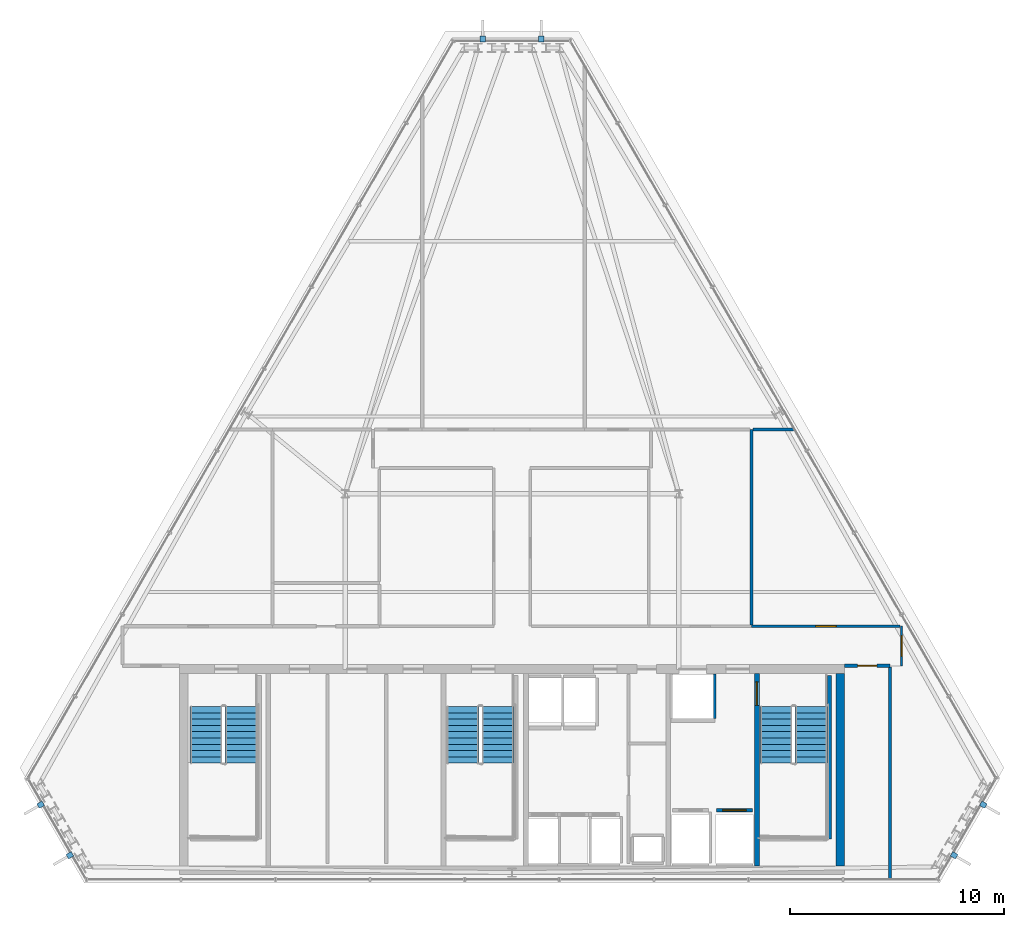
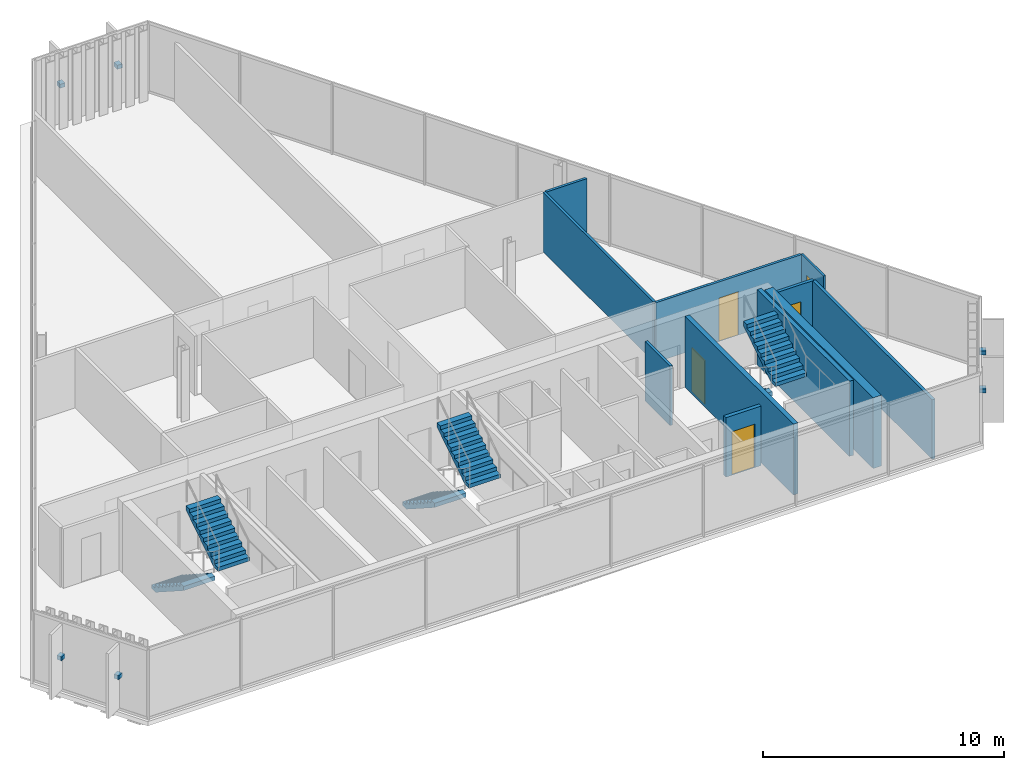
# One storey, part 31 of 34: 11 walls, 6 discrete accessories, 6 stair flights, 5 doors, 5 openings, 3 elements without a shape of their own.
"""IFC4 building model written with IfcOpenShell, lengths in metres."""

from ifc_helpers import new_model, si_unit, direction, frame, frame_2d, origin, origin_2d, place, context, subcontext, project, spatial, polyline, rectangle, outline, extrude, material, layer, layer_set, type_object, element, fill, aggregate, save


model = new_model("IFC4")

# Units and contexts
model_context = context("Model", 3, precision=1e-05, world=origin(), true_north=direction((0.0, 1.0)))
body_context = subcontext(model_context, "Body", "Model", "MODEL_VIEW")
ifc_project = project(units=[si_unit("LENGTHUNIT", "METRE"), si_unit("AREAUNIT", "SQUARE_METRE"), si_unit("VOLUMEUNIT", "CUBIC_METRE"), si_unit("PLANEANGLEUNIT", "RADIAN"), si_unit("MASSUNIT", "GRAM", prefix="KILO")], contexts=[model_context])

# Site, building, storey
site_placement = place(None, origin())
site = spatial("IfcSite", under=ifc_project, at=site_placement, CompositionType="ELEMENT")
building_placement = place(site_placement, origin())
building = spatial("IfcBuilding", under=site, at=building_placement, Name="Ndaravel Arena Tower", CompositionType="ELEMENT")
storey_placement = place(building_placement, frame((0.0, 0.0, 263.60009765625)))
storey = spatial("IfcBuildingStorey", under=building, at=storey_placement, Name="L64", CompositionType="ELEMENT", Elevation=263.60009765625)

# Wall, opening, door
ifc_material_1 = material(Name="Concrete C50/60", Category="concrete")
ifc_layer_1 = layer(ifc_material_1, 0.219970703125)
ifc_layer_set_1 = layer_set([ifc_layer_1], Name="Concrete C50/60")
wall_type_1 = type_object("IfcWallType", Name="WALL-CORE-220", PredefinedType="SOLIDWALL", material=ifc_layer_set_1)
wall_1_placement = place(storey_placement, frame((53.449951171875, 5.800048828125, 0.0), z_axis=(0.0, 0.0, 1.0), x_axis=(0.0, 1.0, 0.0)))
wall_1 = element("IfcWall", 1, at=wall_1_placement, inside=storey, type_object=wall_type_1, Name="L64 Core Web Shear Wall 5", PredefinedType="SOLIDWALL", context=body_context, shape_type="SweptSolid", body=[
    extrude(rectangle(XDim=9.0, YDim=0.219970703125, at=frame_2d((4.5, 0.0))), origin(), (0.0, 0.0, 1.0), 3.579833984375),
])
opening_1_placement = place(wall_1_placement, frame((7.5, 0.0, 0.0)))
opening_1 = element("IfcOpeningElement", 2, at=opening_1_placement, cuts=wall_1, Name="Opening FD-01", PredefinedType="OPENING", context=body_context, shape_type="SweptSolid", body=[
    extrude(rectangle(XDim=1.10009765625, YDim=2.199951171875, at=frame_2d((0.550048828125, 1.10009765625))), frame((0.0, 0.10986328125, 0.0), z_axis=(0.0, -1.0, 0.0), x_axis=(1.0, 0.0, 0.0)), (0.0, 0.0, 1.0), 0.219970703125),
])
ifc_material_2 = material(Name="Steel S355", Category="steel")
door_type_1 = type_object("IfcDoorType", Name="DT-01-STAIR-1100", OperationType="SINGLE_SWING_LEFT", PredefinedType="DOOR", material=ifc_material_2)
door_1_placement = place(opening_1_placement, origin())
door_1 = element("IfcDoor", 3, at=door_1_placement, inside=storey, type_object=door_type_1, Name="L64 Firefighting Lobby to ST-3 Door", OperationType="SINGLE_SWING_LEFT", OverallHeight=2.199951171875, OverallWidth=1.10009765625, PredefinedType="DOOR", context=body_context, shape_type="SweptSolid", body=[
    extrude(rectangle(XDim=1.10009765625, YDim=2.199951171875, at=frame_2d((0.550048828125, 1.10009765625))), frame((0.0, 0.02490234375, 0.0), z_axis=(0.0, -1.0, 0.0), x_axis=(1.0, 0.0, 0.0)), (0.0, 0.0, 1.0), 0.050048828125),
])
fill(opening_1, door_1)

# Wall
ifc_material_3 = material(Name="Concrete C50/60", Category="concrete")
ifc_layer_2 = layer(ifc_material_3, 0.39990234375)
ifc_layer_set_2 = layer_set([ifc_layer_2], Name="Concrete C50/60")
wall_type_2 = type_object("IfcWallType", Name="WALL-CORE-400", PredefinedType="SOLIDWALL", material=ifc_layer_set_2)
wall_2_placement = place(storey_placement, frame((57.35009765625, 5.800048828125, 0.0), z_axis=(0.0, 0.0, 1.0), x_axis=(0.0, 1.0, 0.0)))
element("IfcWall", 4, at=wall_2_placement, inside=storey, type_object=wall_type_2, Name="L64 Core East Shear Wall", PredefinedType="SOLIDWALL", context=body_context, shape_type="SweptSolid", body=[
    extrude(rectangle(XDim=9.0, YDim=0.39990234375, at=frame_2d((4.5, 0.0))), origin(), (0.0, 0.0, 1.0), 3.579833984375),
])

# Wall, opening, door
ifc_material_4 = material(Name="Timber", Category="wood")
ifc_layer_3 = layer(ifc_material_4, 0.10009765625)
ifc_layer_set_3 = layer_set([ifc_layer_3], Name="Timber")
wall_type_3 = type_object("IfcWallType", Name="WALL-MOVABLE-100", PredefinedType="MOVABLE", material=ifc_layer_set_3)
wall_3_placement = place(storey_placement, frame((60.216064453125, 17.0, 0.0), z_axis=(0.0, 0.0, 1.0), x_axis=(0.0, -1.0, 0.0)))
wall_3 = element("IfcWall", 5, at=wall_3_placement, inside=storey, type_object=wall_type_3, Name="L64 Interior Partition 001", PredefinedType="MOVABLE", context=body_context, shape_type="SweptSolid", body=[
    extrude(rectangle(XDim=1.85009765625, YDim=0.10009765625, at=frame_2d((0.925048828125, 0.0))), origin(), (0.0, 0.0, 1.0), 3.010498046875),
])
opening_2_placement = place(wall_3_placement, frame((0.449951171875, 0.0, 0.0)))
opening_2 = element("IfcOpeningElement", 6, at=opening_2_placement, cuts=wall_3, Name="Opening ID-01", PredefinedType="OPENING", context=body_context, shape_type="SweptSolid", body=[
    extrude(rectangle(XDim=0.949951171875, YDim=2.199951171875, at=frame_2d((0.47509765625, 1.10009765625))), frame((0.0, 0.050048828125, 0.0), z_axis=(0.0, -1.0, 0.0), x_axis=(1.0, 0.0, 0.0)), (0.0, 0.0, 1.0), 0.10009765625),
])
ifc_material_5 = material(Name="Timber", Category="wood")
door_type_2 = type_object("IfcDoorType", Name="DT-03-OFFICE-950", OperationType="SINGLE_SWING_LEFT", PredefinedType="DOOR", material=ifc_material_5)
door_2_placement = place(opening_2_placement, origin())
door_2 = element("IfcDoor", 7, at=door_2_placement, inside=storey, type_object=door_type_2, Name="L64 Staff Wellness Clinic Door", OperationType="SINGLE_SWING_LEFT", OverallHeight=2.199951171875, OverallWidth=0.949951171875, PredefinedType="DOOR", context=body_context, shape_type="SweptSolid", body=[
    extrude(rectangle(XDim=0.949951171875, YDim=2.199951171875, at=frame_2d((0.47509765625, 1.10009765625))), frame((0.0, 0.02490234375, 0.0), z_axis=(0.0, -1.0, 0.0), x_axis=(1.0, 0.0, 0.0)), (0.0, 0.0, 1.0), 0.050048828125),
])
fill(opening_2, door_2)

ifc_material_6 = material(Name="Gypsum", Category="gypsum")
ifc_layer_4 = layer(ifc_material_6, 0.125)
ifc_layer_set_4 = layer_set([ifc_layer_4], Name="Gypsum")
wall_type_4 = type_object("IfcWallType", Name="WALL-PART-125", PredefinedType="PARTITIONING", material=ifc_layer_set_4)
wall_4_placement = place(storey_placement, frame((53.199951171875, 17.0, 0.0), z_axis=(0.0, 0.0, 1.0), x_axis=(1.0, 0.0, 0.0)))
wall_4 = element("IfcWall", 8, at=wall_4_placement, inside=storey, type_object=wall_type_4, Name="L64 Interior Partition 021", PredefinedType="PARTITIONING", context=body_context, shape_type="SweptSolid", body=[
    extrude(rectangle(XDim=6.950927734375, YDim=0.125, at=frame_2d((3.4755859375, 0.0))), origin(), (0.0, 0.0, 1.0), 3.010498046875),
])
opening_3_placement = place(wall_4_placement, frame((3.00048828125, 0.0, 0.0)))
opening_3 = element("IfcOpeningElement", 9, at=opening_3_placement, cuts=wall_4, Name="Opening ID-01", PredefinedType="OPENING", context=body_context, shape_type="SweptSolid", body=[
    extrude(rectangle(XDim=0.949951171875, YDim=2.199951171875, at=frame_2d((0.47509765625, 1.10009765625))), frame((0.0, 0.0625, 0.0), z_axis=(0.0, -1.0, 0.0), x_axis=(1.0, 0.0, 0.0)), (0.0, 0.0, 1.0), 0.125),
])
door_3_placement = place(opening_3_placement, origin())
door_3 = element("IfcDoor", 10, at=door_3_placement, inside=storey, type_object=door_type_2, Name="L64 Barista Galley 3 Door", OperationType="SINGLE_SWING_RIGHT", OverallHeight=2.199951171875, OverallWidth=0.949951171875, PredefinedType="DOOR", context=body_context, shape_type="SweptSolid", body=[
    extrude(rectangle(XDim=0.949951171875, YDim=2.199951171875, at=frame_2d((0.47509765625, 1.10009765625))), frame((0.0, 0.02490234375, 0.0), z_axis=(0.0, -1.0, 0.0), x_axis=(1.0, 0.0, 0.0)), (0.0, 0.0, 1.0), 0.050048828125),
])
fill(opening_3, door_3)

# Walls
wall_5_placement = place(storey_placement, frame((53.199951171875, 17.06494140625, 0.0), z_axis=(0.0, 0.0, 1.0), x_axis=(0.0, 1.0, 0.0)))
element("IfcWall", 11, at=wall_5_placement, inside=storey, type_object=wall_type_4, Name="L64 Interior Partition 030", PredefinedType="PARTITIONING", context=body_context, shape_type="SweptSolid", body=[
    extrude(rectangle(XDim=9.135009765625, YDim=0.125, at=frame_2d((4.5673828125, 0.0))), origin(), (0.0, 0.0, 1.0), 3.010498046875),
])
wall_6_placement = place(storey_placement, frame((53.264892578125, 26.199951171875, 0.0), z_axis=(0.0, 0.0, 1.0), x_axis=(1.0, 0.0, 0.0)))
element("IfcWall", 12, at=wall_6_placement, inside=storey, type_object=wall_type_4, Name="L64 Interior Partition 031", PredefinedType="PARTITIONING", context=body_context, shape_type="SweptSolid", body=[
    extrude(rectangle(XDim=1.94921875, YDim=0.125, at=frame_2d((0.974609375, 0.0))), origin(), (0.0, 0.0, 1.0), 3.010498046875),
])
ifc_material_7 = material(Name="Concrete C40/50", Category="concrete")
ifc_layer_5 = layer(ifc_material_7, 0.1201171875)
ifc_layer_set_5 = layer_set([ifc_layer_5], Name="Concrete C40/50")
wall_type_5 = type_object("IfcWallType", Name="WALL-SHAFT-120", PredefinedType="SOLIDWALL", material=ifc_layer_set_5)
wall_7_placement = place(storey_placement, frame((51.47998046875, 12.68994140625, 0.0), z_axis=(0.0, 0.0, 1.0), x_axis=(0.0, 1.0, 0.0)))
element("IfcWall", 13, at=wall_7_placement, inside=storey, type_object=wall_type_5, Name="L64 SVL-1 Shaft E Wall", PredefinedType="SOLIDWALL", context=body_context, shape_type="SweptSolid", body=[
    extrude(rectangle(XDim=2.070068359375, YDim=0.1201171875, at=frame_2d((1.03515625, 0.0))), origin(), (0.0, 0.0, 1.0), 3.010498046875),
])
ifc_material_8 = material(Name="Concrete C40/50", Category="concrete")
ifc_layer_6 = layer(ifc_material_8, 0.199951171875)
ifc_layer_set_6 = layer_set([ifc_layer_6], Name="Concrete C40/50")
wall_type_6 = type_object("IfcWallType", Name="WALL-SHAFT-200", PredefinedType="SOLIDWALL", material=ifc_layer_set_6)
wall_8_placement = place(storey_placement, frame((56.840087890625, 14.699951171875, 0.0), z_axis=(0.0, 0.0, 1.0), x_axis=(0.0, -1.0, 0.0)))
element("IfcWall", 14, at=wall_8_placement, inside=storey, type_object=wall_type_6, Name="L64 ST-3 Structural Shaft Wall Right", PredefinedType="SOLIDWALL", context=body_context, shape_type="SweptSolid", body=[
    extrude(rectangle(XDim=7.64990234375, YDim=0.199951171875, at=frame_2d((3.824951171875, 0.0))), origin(), (0.0, 0.0, 1.0), 3.7998046875),
])

# Wall, opening, door
wall_9_placement = place(storey_placement, frame((51.554931640625, 8.39990234375, 0.0), z_axis=(0.0, 0.0, 1.0), x_axis=(1.0, 0.0, 0.0)))
wall_9 = element("IfcWall", 15, at=wall_9_placement, inside=storey, type_object=wall_type_6, Name="L64 FFL-2 Shaft Landing Wall", PredefinedType="SOLIDWALL", context=body_context, shape_type="SweptSolid", body=[
    extrude(rectangle(XDim=1.690185546875, YDim=0.179931640625, at=frame_2d((0.84521484375, 0.0))), origin(), (0.0, 0.0, 1.0), 3.010498046875),
])
opening_4_placement = place(wall_9_placement, frame((0.294921875, 0.0, 0.0)))
opening_4 = element("IfcOpeningElement", 16, at=opening_4_placement, cuts=wall_9, Name="Opening LD-01", PredefinedType="OPENING", context=body_context, shape_type="SweptSolid", body=[
    extrude(rectangle(XDim=1.10009765625, YDim=2.199951171875, at=frame_2d((0.550048828125, 1.10009765625))), frame((0.0, 0.08984375, 0.0), z_axis=(0.0, -1.0, 0.0), x_axis=(1.0, 0.0, 0.0)), (0.0, 0.0, 1.0), 0.179931640625),
])
ifc_material_9 = material(Name="Steel S355", Category="steel")
door_type_3 = type_object("IfcDoorType", Name="DT-06-LIFT-1100", OperationType="SLIDING_TO_LEFT", PredefinedType="DOOR", material=ifc_material_9)
door_4_placement = place(opening_4_placement, origin())
door_4 = element("IfcDoor", 17, at=door_4_placement, inside=storey, type_object=door_type_3, Name="L64 Lift FFL-2 Sliding Landing Door", OperationType="SLIDING_TO_LEFT", OverallHeight=2.199951171875, OverallWidth=1.10009765625, PredefinedType="DOOR", context=body_context, shape_type="SweptSolid", body=[
    extrude(rectangle(XDim=1.10009765625, YDim=2.199951171875, at=frame_2d((0.550048828125, 1.10009765625))), frame((0.0, 0.02490234375, 0.0), z_axis=(0.0, -1.0, 0.0), x_axis=(1.0, 0.0, 0.0)), (0.0, 0.0, 1.0), 0.050048828125),
])
fill(opening_4, door_4)

ifc_material_10 = material(Name="Masonry", Category="masonry")
ifc_layer_7 = layer(ifc_material_10, 0.14990234375)
ifc_layer_set_7 = layer_set([ifc_layer_7], Name="Masonry")
wall_type_7 = type_object("IfcWallType", Name="WALL-WET-150", PredefinedType="PARTITIONING", material=ifc_layer_set_7)
wall_10_placement = place(storey_placement, frame((59.67431640625, 15.14990234375, 0.0), z_axis=(0.0, 0.0, 1.0), x_axis=(-1.0, 0.0, 0.0)))
wall_10 = element("IfcWall", 18, at=wall_10_placement, inside=storey, type_object=wall_type_7, Name="L64 Interior Partition 002", PredefinedType="PARTITIONING", context=body_context, shape_type="SweptSolid", body=[
    extrude(rectangle(XDim=2.124267578125, YDim=0.14990234375, at=frame_2d((1.06201171875, 0.0))), origin(), (0.0, 0.0, 1.0), 3.010498046875),
])
opening_5_placement = place(wall_10_placement, frame((0.6123046875, 0.0, 0.0)))
opening_5 = element("IfcOpeningElement", 19, at=opening_5_placement, cuts=wall_10, Name="Opening WD-01", PredefinedType="OPENING", context=body_context, shape_type="SweptSolid", body=[
    extrude(rectangle(XDim=0.89990234375, YDim=2.14990234375, at=frame_2d((0.449951171875, 1.074951171875))), frame((0.0, 0.074951171875, 0.0), z_axis=(0.0, -1.0, 0.0), x_axis=(1.0, 0.0, 0.0)), (0.0, 0.0, 1.0), 0.14990234375),
])
ifc_material_11 = material(Name="Timber", Category="wood")
door_type_4 = type_object("IfcDoorType", Name="DT-05-WC-900", OperationType="SINGLE_SWING_LEFT", PredefinedType="DOOR", material=ifc_material_11)
door_5_placement = place(opening_5_placement, origin())
door_5 = element("IfcDoor", 20, at=door_5_placement, inside=storey, type_object=door_type_4, Name="L64 Male Staff & Visitor Restroom Door", OperationType="SINGLE_SWING_LEFT", OverallHeight=2.14990234375, OverallWidth=0.89990234375, PredefinedType="DOOR", context=body_context, shape_type="SweptSolid", body=[
    extrude(rectangle(XDim=0.89990234375, YDim=2.14990234375, at=frame_2d((0.449951171875, 1.074951171875))), frame((0.0, 0.02490234375, 0.0), z_axis=(0.0, -1.0, 0.0), x_axis=(1.0, 0.0, 0.0)), (0.0, 0.0, 1.0), 0.050048828125),
])
fill(opening_5, door_5)

# Wall
wall_11_placement = place(storey_placement, frame((59.67431640625, 15.0849609375, 0.0), z_axis=(0.0, 0.0, 1.0), x_axis=(0.0, -1.0, 0.0)))
element("IfcWall", 21, at=wall_11_placement, inside=storey, type_object=wall_type_7, Name="L64 Interior Partition 022", PredefinedType="PARTITIONING", context=body_context, shape_type="SweptSolid", body=[
    extrude(rectangle(XDim=9.925048828125, YDim=0.14990234375, at=frame_2d((4.96240234375, 0.0))), origin(), (0.0, 0.0, 1.0), 3.010498046875),
])

# Stair, stair flights
ifc_material_12 = material(Name="Concrete C40/50", Category="concrete")
stair_type = type_object("IfcStairType", Name="STAIR-CORE-HT", PredefinedType="HALF_TURN_STAIR", material=ifc_material_12)
stair_1_placement = place(storey_placement, origin())
stair_1 = element("IfcStair", 22, at=stair_1_placement, inside=storey, type_object=stair_type, Name="L64 ST-1", PredefinedType="HALF_TURN_STAIR")
ifc_material_13 = material(Name="Concrete C40/50", Category="concrete")
stair_flight_type = type_object("IfcStairFlightType", Name="SFLIGHT-CORE-1680", PredefinedType="STRAIGHT", material=ifc_material_13)
stair_flight_1_placement = place(storey_placement, frame((27.699951171875, 13.25, 0.0), z_axis=(0.0, 0.0, 1.0), x_axis=(0.0, -1.0, 0.0)))
stair_flight_1 = element("IfcStairFlight", 23, at=stair_flight_1_placement, type_object=stair_flight_type, Name="ST-1 flight 1", NumberOfRisers=10, NumberOfTreads=9, PredefinedType="STRAIGHT", RiserHeight=0.19, TreadLength=0.295, context=body_context, shape_type="SweptSolid", body=[
    extrude(outline(polyline([(0.0, 0.0), (0.0, 0.18994140625), (0.294921875, 0.18994140625), (0.294921875, 0.3798828125), (0.590087890625, 0.3798828125), (0.590087890625, 0.570068359375), (0.885009765625, 0.570068359375), (0.885009765625, 0.760009765625), (1.179931640625, 0.760009765625), (1.179931640625, 0.949951171875), (1.47509765625, 0.949951171875), (1.47509765625, 1.139892578125), (1.77001953125, 1.139892578125), (1.77001953125, 1.330078125), (2.06494140625, 1.330078125), (2.06494140625, 1.52001953125), (2.360107421875, 1.52001953125), (2.360107421875, 1.7099609375), (2.655029296875, 1.7099609375), (2.655029296875, 1.89990234375), (2.655029296875, 1.49609375), (0.332275390625, 0.0), (0.0, 0.0)])), frame((0.0, 0.75, 0.0), z_axis=(0.0, -1.0, 0.0), x_axis=(1.0, 0.0, 0.0)), (0.0, 0.0, 1.0), 1.5),
])
stair_flight_2_placement = place(storey_placement, frame((29.340087890625, 10.594970703125, 1.89990234375), z_axis=(0.0, 0.0, 1.0), x_axis=(0.0, 1.0, 0.0)))
stair_flight_2 = element("IfcStairFlight", 24, at=stair_flight_2_placement, type_object=stair_flight_type, Name="ST-1 flight 2", NumberOfRisers=10, NumberOfTreads=9, PredefinedType="STRAIGHT", RiserHeight=0.19, TreadLength=0.295, context=body_context, shape_type="SweptSolid", body=[
    extrude(outline(polyline([(0.0, 0.0), (0.0, 0.18994140625), (0.294921875, 0.18994140625), (0.294921875, 0.3798828125), (0.590087890625, 0.3798828125), (0.590087890625, 0.570068359375), (0.885009765625, 0.570068359375), (0.885009765625, 0.760009765625), (1.179931640625, 0.760009765625), (1.179931640625, 0.949951171875), (1.47509765625, 0.949951171875), (1.47509765625, 1.139892578125), (1.77001953125, 1.139892578125), (1.77001953125, 1.330078125), (2.06494140625, 1.330078125), (2.06494140625, 1.52001953125), (2.360107421875, 1.52001953125), (2.360107421875, 1.7099609375), (2.655029296875, 1.7099609375), (2.655029296875, 1.89990234375), (2.655029296875, 1.49609375), (0.332275390625, 0.0), (0.0, 0.0)])), frame((0.0, 0.75, 0.0), z_axis=(0.0, -1.0, 0.0), x_axis=(1.0, 0.0, 0.0)), (0.0, 0.0, 1.0), 1.5),
])
aggregate(stair_1, [stair_flight_1, stair_flight_2])

stair_2_placement = place(storey_placement, origin())
stair_2 = element("IfcStair", 25, at=stair_2_placement, inside=storey, type_object=stair_type, Name="L64 ST-2", PredefinedType="HALF_TURN_STAIR")
stair_flight_3_placement = place(storey_placement, frame((39.699951171875, 13.25, 0.0), z_axis=(0.0, 0.0, 1.0), x_axis=(0.0, -1.0, 0.0)))
stair_flight_3 = element("IfcStairFlight", 26, at=stair_flight_3_placement, type_object=stair_flight_type, Name="ST-2 flight 1", NumberOfRisers=10, NumberOfTreads=9, PredefinedType="STRAIGHT", RiserHeight=0.19, TreadLength=0.295, context=body_context, shape_type="SweptSolid", body=[
    extrude(outline(polyline([(0.0, 0.0), (0.0, 0.18994140625), (0.294921875, 0.18994140625), (0.294921875, 0.3798828125), (0.590087890625, 0.3798828125), (0.590087890625, 0.570068359375), (0.885009765625, 0.570068359375), (0.885009765625, 0.760009765625), (1.179931640625, 0.760009765625), (1.179931640625, 0.949951171875), (1.47509765625, 0.949951171875), (1.47509765625, 1.139892578125), (1.77001953125, 1.139892578125), (1.77001953125, 1.330078125), (2.06494140625, 1.330078125), (2.06494140625, 1.52001953125), (2.360107421875, 1.52001953125), (2.360107421875, 1.7099609375), (2.655029296875, 1.7099609375), (2.655029296875, 1.89990234375), (2.655029296875, 1.49609375), (0.332275390625, 0.0), (0.0, 0.0)])), frame((0.0, 0.75, 0.0), z_axis=(0.0, -1.0, 0.0), x_axis=(1.0, 0.0, 0.0)), (0.0, 0.0, 1.0), 1.5),
])
stair_flight_4_placement = place(storey_placement, frame((41.340087890625, 10.594970703125, 1.89990234375), z_axis=(0.0, 0.0, 1.0), x_axis=(0.0, 1.0, 0.0)))
stair_flight_4 = element("IfcStairFlight", 27, at=stair_flight_4_placement, type_object=stair_flight_type, Name="ST-2 flight 2", NumberOfRisers=10, NumberOfTreads=9, PredefinedType="STRAIGHT", RiserHeight=0.19, TreadLength=0.295, context=body_context, shape_type="SweptSolid", body=[
    extrude(outline(polyline([(0.0, 0.0), (0.0, 0.18994140625), (0.294921875, 0.18994140625), (0.294921875, 0.3798828125), (0.590087890625, 0.3798828125), (0.590087890625, 0.570068359375), (0.885009765625, 0.570068359375), (0.885009765625, 0.760009765625), (1.179931640625, 0.760009765625), (1.179931640625, 0.949951171875), (1.47509765625, 0.949951171875), (1.47509765625, 1.139892578125), (1.77001953125, 1.139892578125), (1.77001953125, 1.330078125), (2.06494140625, 1.330078125), (2.06494140625, 1.52001953125), (2.360107421875, 1.52001953125), (2.360107421875, 1.7099609375), (2.655029296875, 1.7099609375), (2.655029296875, 1.89990234375), (2.655029296875, 1.49609375), (0.332275390625, 0.0), (0.0, 0.0)])), frame((0.0, 0.75, 0.0), z_axis=(0.0, -1.0, 0.0), x_axis=(1.0, 0.0, 0.0)), (0.0, 0.0, 1.0), 1.5),
])
aggregate(stair_2, [stair_flight_3, stair_flight_4])

stair_3_placement = place(storey_placement, origin())
stair_3 = element("IfcStair", 28, at=stair_3_placement, inside=storey, type_object=stair_type, Name="L64 ST-3", PredefinedType="HALF_TURN_STAIR")
stair_flight_5_placement = place(storey_placement, frame((54.35009765625, 13.25, 0.0), z_axis=(0.0, 0.0, 1.0), x_axis=(0.0, -1.0, 0.0)))
stair_flight_5 = element("IfcStairFlight", 29, at=stair_flight_5_placement, type_object=stair_flight_type, Name="ST-3 flight 1", NumberOfRisers=10, NumberOfTreads=9, PredefinedType="STRAIGHT", RiserHeight=0.19, TreadLength=0.295, context=body_context, shape_type="SweptSolid", body=[
    extrude(outline(polyline([(0.0, 0.0), (0.0, 0.18994140625), (0.294921875, 0.18994140625), (0.294921875, 0.3798828125), (0.590087890625, 0.3798828125), (0.590087890625, 0.570068359375), (0.885009765625, 0.570068359375), (0.885009765625, 0.760009765625), (1.179931640625, 0.760009765625), (1.179931640625, 0.949951171875), (1.47509765625, 0.949951171875), (1.47509765625, 1.139892578125), (1.77001953125, 1.139892578125), (1.77001953125, 1.330078125), (2.06494140625, 1.330078125), (2.06494140625, 1.52001953125), (2.360107421875, 1.52001953125), (2.360107421875, 1.7099609375), (2.655029296875, 1.7099609375), (2.655029296875, 1.89990234375), (2.655029296875, 1.49609375), (0.332275390625, 0.0), (0.0, 0.0)])), frame((0.0, 0.75, 0.0), z_axis=(0.0, -1.0, 0.0), x_axis=(1.0, 0.0, 0.0)), (0.0, 0.0, 1.0), 1.5),
])
stair_flight_6_placement = place(storey_placement, frame((55.989990234375, 10.594970703125, 1.89990234375), z_axis=(0.0, 0.0, 1.0), x_axis=(0.0, 1.0, 0.0)))
stair_flight_6 = element("IfcStairFlight", 30, at=stair_flight_6_placement, type_object=stair_flight_type, Name="ST-3 flight 2", NumberOfRisers=10, NumberOfTreads=9, PredefinedType="STRAIGHT", RiserHeight=0.19, TreadLength=0.295, context=body_context, shape_type="SweptSolid", body=[
    extrude(outline(polyline([(0.0, 0.0), (0.0, 0.18994140625), (0.294921875, 0.18994140625), (0.294921875, 0.3798828125), (0.590087890625, 0.3798828125), (0.590087890625, 0.570068359375), (0.885009765625, 0.570068359375), (0.885009765625, 0.760009765625), (1.179931640625, 0.760009765625), (1.179931640625, 0.949951171875), (1.47509765625, 0.949951171875), (1.47509765625, 1.139892578125), (1.77001953125, 1.139892578125), (1.77001953125, 1.330078125), (2.06494140625, 1.330078125), (2.06494140625, 1.52001953125), (2.360107421875, 1.52001953125), (2.360107421875, 1.7099609375), (2.655029296875, 1.7099609375), (2.655029296875, 1.89990234375), (2.655029296875, 1.49609375), (0.332275390625, 0.0), (0.0, 0.0)])), frame((0.0, 0.75, 0.0), z_axis=(0.0, -1.0, 0.0), x_axis=(1.0, 0.0, 0.0)), (0.0, 0.0, 1.0), 1.5),
])
aggregate(stair_3, [stair_flight_5, stair_flight_6])

# Discrete accessories
ifc_material_14 = material(Name="Steel S355", Category="steel")
discrete_accessory_type = type_object("IfcDiscreteAccessoryType", Name="ACC-BRACKET-FIN", PredefinedType="BRACKET", material=ifc_material_14)
for number, where, z_axis, x_axis, name in (
    (31, (62.670166015625, 6.292236328125, 1.68994140625), (0.0, 0.0, 1.0), (0.866025403784, -0.5, 0.0), "L64 Mazeras Stone Solar Fin E2.1 Bracket"),
    (32, (64.035400390625, 8.656494140625, 1.68994140625), (0.0, 0.0, 1.0), (0.866025403784, -0.5, 0.0), "L64 Mazeras Stone Solar Fin E2.2 Bracket"),
    (33, (43.364990234375, 44.45849609375, 1.68994140625), (0.0, 0.0, 1.0), (0.0, 1.0, 0.0), "L64 Mazeras Stone Solar Fin E4.1 Bracket"),
    (34, (40.635009765625, 44.45849609375, 1.68994140625), (0.0, 0.0, 1.0), (0.0, 1.0, 0.0), "L64 Mazeras Stone Solar Fin E4.2 Bracket"),
    (35, (19.964599609375, 8.656494140625, 1.68994140625), (0.0, 0.0, 1.0), (-0.866025403784, -0.5, 0.0), "L64 Mazeras Stone Solar Fin E6.1 Bracket"),
    (36, (21.329833984375, 6.292236328125, 1.68994140625), (0.0, 0.0, 1.0), (-0.866025403784, -0.5, 0.0), "L64 Mazeras Stone Solar Fin E6.2 Bracket"),
):
    element("IfcDiscreteAccessory", number, at=place(storey_placement, frame(where, z_axis=z_axis, x_axis=x_axis)), inside=storey, type_object=discrete_accessory_type, Name=name, PredefinedType="BRACKET", context=body_context, shape_type="SweptSolid", body=[
        extrude(rectangle(XDim=0.280029296875, YDim=0.239990234375, at=origin_2d()), origin(), (0.0, 0.0, 1.0), 0.199951171875),
    ])

save(model, "model.ifc")
